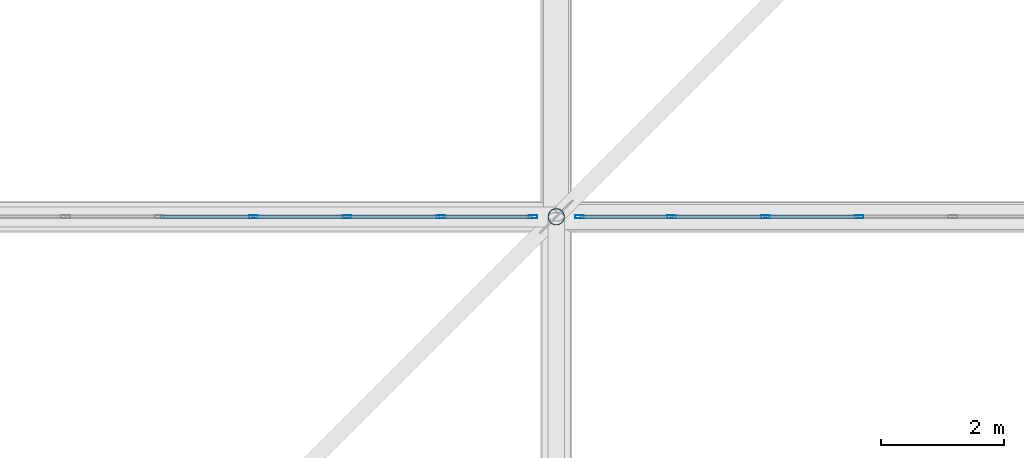
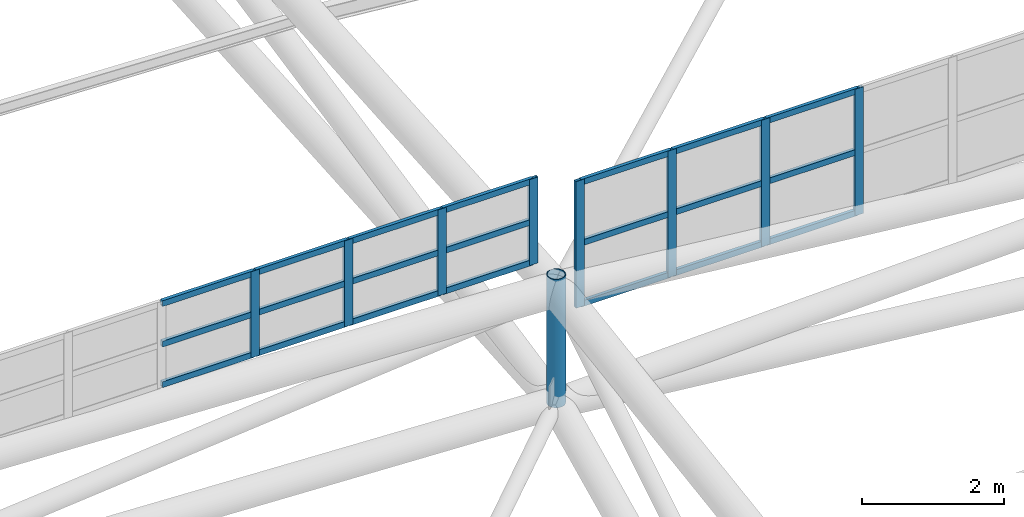
# One storey, part 105 of 397: 30 members, 2 elements without a shape of their own.
"""IFC4 building model written with IfcOpenShell, lengths in metres."""

from ifc_helpers import new_model, si_unit, direction, frame, origin, origin_2d, place, context, subcontext, project, spatial, hollow_rectangle, hollow_circle, extrude, material, material_profile, profile_set, type_object, element, aggregate, save


model = new_model("IFC4")

# Units and contexts
model_context = context("Model", 3, precision=1e-05, world=origin(), true_north=direction((0.0, 1.0)))
body_context = subcontext(model_context, "Body", "Model", "MODEL_VIEW")
ifc_project = project(units=[si_unit("LENGTHUNIT", "METRE"), si_unit("AREAUNIT", "SQUARE_METRE"), si_unit("VOLUMEUNIT", "CUBIC_METRE"), si_unit("PLANEANGLEUNIT", "RADIAN"), si_unit("MASSUNIT", "GRAM", prefix="KILO")], contexts=[model_context])

# Site, building, storey
site_placement = place(None, origin())
site = spatial("IfcSite", under=ifc_project, at=site_placement, CompositionType="ELEMENT")
building_placement = place(site_placement, origin())
building = spatial("IfcBuilding", under=site, at=building_placement, Name="Qandorah Velis Arena", CompositionType="ELEMENT")
storey_placement = place(building_placement, frame((0.0, 0.0, 27.5)))
storey = spatial("IfcBuildingStorey", under=building, at=storey_placement, Name="RF", CompositionType="ELEMENT", Elevation=27.5)

# Curtain wall, members
ifc_material_1 = material(Name="Solar-control low-E double glazing", Category="glass")
curtain_wall_type_1 = type_object("IfcCurtainWallType", Name="ARC-CW-SYS19", PredefinedType="USERDEFINED", material=ifc_material_1)
curtain_wall_1_placement = place(storey_placement, origin())
curtain_wall_1 = element("IfcCurtainWall", 1, at=curtain_wall_1_placement, inside=storey, type_object=curtain_wall_type_1, Name="Unitised curtain wall OCULUS-3-4", ObjectType="UNITISED CURTAIN WALL", PredefinedType="USERDEFINED")
ifc_material_2 = material(Name="Champagne-bronze anodized aluminium 6063-T6", Category="aluminium")
ifc_material_profile_1 = material_profile(ifc_material_2, hollow_rectangle(XDim=0.054931640625, YDim=0.139892578125, WallThickness=0.0029296875, at=origin_2d()), Name="ALU MULLION 55x140")
ifc_profile_set_1 = profile_set([ifc_material_profile_1], Name="Champagne-bronze anodized aluminium 6063-T6")
member_type_1 = type_object("IfcMemberType", Name="ARC-CWM-140", PredefinedType="MULLION", material=ifc_profile_set_1)
member_1_placement = place(storey_placement, frame((81.4833984375, 28.800048828125, 9.5341796875), z_axis=(0.0, 0.0, 1.0), x_axis=(0.0, 1.0, 0.0)))
member_1 = element("IfcMember", 2, at=member_1_placement, type_object=member_type_1, Name="CW19 mullion 7", PredefinedType="MULLION", context=body_context, shape_type="SweptSolid", body=[
    extrude(hollow_rectangle(XDim=0.054931640625, YDim=0.139892578125, WallThickness=0.0029296875, at=origin_2d()), origin(), (0.0, 0.0, 1.0), 1.480712890625),
])
member_2_placement = place(storey_placement, frame((83.005615234375, 28.800048828125, 9.5341796875), z_axis=(0.0, 0.0, 1.0), x_axis=(0.0, 1.0, 0.0)))
member_2 = element("IfcMember", 3, at=member_2_placement, type_object=member_type_1, Name="CW19 mullion 8", PredefinedType="MULLION", context=body_context, shape_type="SweptSolid", body=[
    extrude(hollow_rectangle(XDim=0.054931640625, YDim=0.139892578125, WallThickness=0.0029296875, at=origin_2d()), origin(), (0.0, 0.0, 1.0), 1.480712890625),
])
member_3_placement = place(storey_placement, frame((84.52783203125, 28.800048828125, 9.5341796875), z_axis=(0.0, 0.0, 1.0), x_axis=(0.0, 1.0, 0.0)))
member_3 = element("IfcMember", 4, at=member_3_placement, type_object=member_type_1, Name="CW19 mullion 9", PredefinedType="MULLION", context=body_context, shape_type="SweptSolid", body=[
    extrude(hollow_rectangle(XDim=0.054931640625, YDim=0.139892578125, WallThickness=0.0029296875, at=origin_2d()), origin(), (0.0, 0.0, 1.0), 1.480712890625),
])
member_4_placement = place(storey_placement, frame((86.0224609375, 28.800048828125, 9.5341796875), z_axis=(0.0, 0.0, 1.0), x_axis=(0.0, 1.0, 0.0)))
member_4 = element("IfcMember", 5, at=member_4_placement, type_object=member_type_1, Name="CW19 mullion 10", PredefinedType="MULLION", context=body_context, shape_type="SweptSolid", body=[
    extrude(hollow_rectangle(XDim=0.054931640625, YDim=0.139892578125, WallThickness=0.0029296875, at=origin_2d()), origin(), (0.0, 0.0, 1.0), 1.480712890625),
])

curtain_wall_type_2 = type_object("IfcCurtainWallType", Name="ARC-CW-SYS20", PredefinedType="USERDEFINED", material=ifc_material_1)
curtain_wall_2_placement = place(storey_placement, origin())
curtain_wall_2 = element("IfcCurtainWall", 6, at=curtain_wall_2_placement, inside=storey, type_object=curtain_wall_type_2, Name="Unitised curtain wall OCULUS-3-5", ObjectType="UNITISED CURTAIN WALL", PredefinedType="USERDEFINED")
member_5_placement = place(storey_placement, frame((86.777587890625, 28.800048828125, 8.53515625), z_axis=(0.0, 0.0, 1.0), x_axis=(0.0, 1.0, 0.0)))
member_5 = element("IfcMember", 7, at=member_5_placement, type_object=member_type_1, Name="CW20 mullion 1", PredefinedType="MULLION", context=body_context, shape_type="SweptSolid", body=[
    extrude(hollow_rectangle(XDim=0.054931640625, YDim=0.139892578125, WallThickness=0.0029296875, at=origin_2d()), origin(), (0.0, 0.0, 1.0), 2.179931640625),
])
member_6_placement = place(storey_placement, frame((88.272216796875, 28.800048828125, 8.53515625), z_axis=(0.0, 0.0, 1.0), x_axis=(0.0, 1.0, 0.0)))
member_6 = element("IfcMember", 8, at=member_6_placement, type_object=member_type_1, Name="CW20 mullion 2", PredefinedType="MULLION", context=body_context, shape_type="SweptSolid", body=[
    extrude(hollow_rectangle(XDim=0.054931640625, YDim=0.139892578125, WallThickness=0.0029296875, at=origin_2d()), origin(), (0.0, 0.0, 1.0), 2.179931640625),
])
member_7_placement = place(storey_placement, frame((89.79443359375, 28.800048828125, 8.53515625), z_axis=(0.0, 0.0, 1.0), x_axis=(0.0, 1.0, 0.0)))
member_7 = element("IfcMember", 9, at=member_7_placement, type_object=member_type_1, Name="CW20 mullion 3", PredefinedType="MULLION", context=body_context, shape_type="SweptSolid", body=[
    extrude(hollow_rectangle(XDim=0.054931640625, YDim=0.139892578125, WallThickness=0.0029296875, at=origin_2d()), origin(), (0.0, 0.0, 1.0), 2.179931640625),
])
member_8_placement = place(storey_placement, frame((91.316650390625, 28.800048828125, 8.53515625), z_axis=(0.0, 0.0, 1.0), x_axis=(0.0, 1.0, 0.0)))
member_8 = element("IfcMember", 10, at=member_8_placement, type_object=member_type_1, Name="CW20 mullion 4", PredefinedType="MULLION", context=body_context, shape_type="SweptSolid", body=[
    extrude(hollow_rectangle(XDim=0.054931640625, YDim=0.139892578125, WallThickness=0.0029296875, at=origin_2d()), origin(), (0.0, 0.0, 1.0), 2.179931640625),
])

# Member
ifc_material_profile_2 = material_profile(ifc_material_2, hollow_rectangle(XDim=0.054931640625, YDim=0.10009765625, WallThickness=0.0029296875, at=origin_2d()), Name="ALU TRANSOM 55x100")
ifc_profile_set_2 = profile_set([ifc_material_profile_2], Name="Champagne-bronze anodized aluminium 6063-T6")
member_type_2 = type_object("IfcMemberType", Name="ARC-CWT-100", PredefinedType="USERDEFINED", material=ifc_profile_set_2)
member_9_placement = place(storey_placement, frame((79.9765625, 28.800048828125, 9.57666015625), z_axis=(1.0, 0.0, 0.0), x_axis=(0.0, 1.0, 0.0)))
member_9 = element("IfcMember", 11, at=member_9_placement, type_object=member_type_2, Name="CW19 transom 6.1", ObjectType="TRANSOM", PredefinedType="USERDEFINED", context=body_context, shape_type="SweptSolid", body=[
    extrude(hollow_rectangle(XDim=0.054931640625, YDim=0.10009765625, WallThickness=0.0029296875, at=origin_2d()), origin(), (0.0, 0.0, 1.0), 1.4912109375),
])

member_10_placement = place(storey_placement, frame((79.9765625, 28.800048828125, 10.274658203125), z_axis=(1.0, 0.0, 0.0), x_axis=(0.0, 1.0, 0.0)))
member_10 = element("IfcMember", 12, at=member_10_placement, type_object=member_type_2, Name="CW19 transom 6.2", ObjectType="TRANSOM", PredefinedType="USERDEFINED", context=body_context, shape_type="SweptSolid", body=[
    extrude(hollow_rectangle(XDim=0.054931640625, YDim=0.10009765625, WallThickness=0.0029296875, at=origin_2d()), origin(), (0.0, 0.0, 1.0), 1.4912109375),
])

member_11_placement = place(storey_placement, frame((79.9765625, 28.800048828125, 10.972412109375), z_axis=(1.0, 0.0, 0.0), x_axis=(0.0, 1.0, 0.0)))
member_11 = element("IfcMember", 13, at=member_11_placement, type_object=member_type_2, Name="CW19 transom 6.3", ObjectType="TRANSOM", PredefinedType="USERDEFINED", context=body_context, shape_type="SweptSolid", body=[
    extrude(hollow_rectangle(XDim=0.054931640625, YDim=0.10009765625, WallThickness=0.0029296875, at=origin_2d()), origin(), (0.0, 0.0, 1.0), 1.4912109375),
])

member_12_placement = place(storey_placement, frame((81.498779296875, 28.800048828125, 9.57666015625), z_axis=(1.0, 0.0, 0.0), x_axis=(0.0, 1.0, 0.0)))
member_12 = element("IfcMember", 14, at=member_12_placement, type_object=member_type_2, Name="CW19 transom 7.1", ObjectType="TRANSOM", PredefinedType="USERDEFINED", context=body_context, shape_type="SweptSolid", body=[
    extrude(hollow_rectangle(XDim=0.054931640625, YDim=0.10009765625, WallThickness=0.0029296875, at=origin_2d()), origin(), (0.0, 0.0, 1.0), 1.4912109375),
])

member_13_placement = place(storey_placement, frame((81.498779296875, 28.800048828125, 10.274658203125), z_axis=(1.0, 0.0, 0.0), x_axis=(0.0, 1.0, 0.0)))
member_13 = element("IfcMember", 15, at=member_13_placement, type_object=member_type_2, Name="CW19 transom 7.2", ObjectType="TRANSOM", PredefinedType="USERDEFINED", context=body_context, shape_type="SweptSolid", body=[
    extrude(hollow_rectangle(XDim=0.054931640625, YDim=0.10009765625, WallThickness=0.0029296875, at=origin_2d()), origin(), (0.0, 0.0, 1.0), 1.4912109375),
])

member_14_placement = place(storey_placement, frame((81.498779296875, 28.800048828125, 10.972412109375), z_axis=(1.0, 0.0, 0.0), x_axis=(0.0, 1.0, 0.0)))
member_14 = element("IfcMember", 16, at=member_14_placement, type_object=member_type_2, Name="CW19 transom 7.3", ObjectType="TRANSOM", PredefinedType="USERDEFINED", context=body_context, shape_type="SweptSolid", body=[
    extrude(hollow_rectangle(XDim=0.054931640625, YDim=0.10009765625, WallThickness=0.0029296875, at=origin_2d()), origin(), (0.0, 0.0, 1.0), 1.4912109375),
])

member_15_placement = place(storey_placement, frame((83.02099609375, 28.800048828125, 9.57666015625), z_axis=(1.0, 0.0, 0.0), x_axis=(0.0, 1.0, 0.0)))
member_15 = element("IfcMember", 17, at=member_15_placement, type_object=member_type_2, Name="CW19 transom 8.1", ObjectType="TRANSOM", PredefinedType="USERDEFINED", context=body_context, shape_type="SweptSolid", body=[
    extrude(hollow_rectangle(XDim=0.054931640625, YDim=0.10009765625, WallThickness=0.0029296875, at=origin_2d()), origin(), (0.0, 0.0, 1.0), 1.4912109375),
])

member_16_placement = place(storey_placement, frame((83.02099609375, 28.800048828125, 10.274658203125), z_axis=(1.0, 0.0, 0.0), x_axis=(0.0, 1.0, 0.0)))
member_16 = element("IfcMember", 18, at=member_16_placement, type_object=member_type_2, Name="CW19 transom 8.2", ObjectType="TRANSOM", PredefinedType="USERDEFINED", context=body_context, shape_type="SweptSolid", body=[
    extrude(hollow_rectangle(XDim=0.054931640625, YDim=0.10009765625, WallThickness=0.0029296875, at=origin_2d()), origin(), (0.0, 0.0, 1.0), 1.4912109375),
])

member_17_placement = place(storey_placement, frame((83.02099609375, 28.800048828125, 10.972412109375), z_axis=(1.0, 0.0, 0.0), x_axis=(0.0, 1.0, 0.0)))
member_17 = element("IfcMember", 19, at=member_17_placement, type_object=member_type_2, Name="CW19 transom 8.3", ObjectType="TRANSOM", PredefinedType="USERDEFINED", context=body_context, shape_type="SweptSolid", body=[
    extrude(hollow_rectangle(XDim=0.054931640625, YDim=0.10009765625, WallThickness=0.0029296875, at=origin_2d()), origin(), (0.0, 0.0, 1.0), 1.4912109375),
])

member_18_placement = place(storey_placement, frame((84.543212890625, 28.800048828125, 9.57666015625), z_axis=(1.0, 0.0, 0.0), x_axis=(0.0, 1.0, 0.0)))
member_18 = element("IfcMember", 20, at=member_18_placement, type_object=member_type_2, Name="CW19 transom 9.1", ObjectType="TRANSOM", PredefinedType="USERDEFINED", context=body_context, shape_type="SweptSolid", body=[
    extrude(hollow_rectangle(XDim=0.054931640625, YDim=0.10009765625, WallThickness=0.0029296875, at=origin_2d()), origin(), (0.0, 0.0, 1.0), 1.4638671875),
])

member_19_placement = place(storey_placement, frame((84.543212890625, 28.800048828125, 10.274658203125), z_axis=(1.0, 0.0, 0.0), x_axis=(0.0, 1.0, 0.0)))
member_19 = element("IfcMember", 21, at=member_19_placement, type_object=member_type_2, Name="CW19 transom 9.2", ObjectType="TRANSOM", PredefinedType="USERDEFINED", context=body_context, shape_type="SweptSolid", body=[
    extrude(hollow_rectangle(XDim=0.054931640625, YDim=0.10009765625, WallThickness=0.0029296875, at=origin_2d()), origin(), (0.0, 0.0, 1.0), 1.4638671875),
])

member_20_placement = place(storey_placement, frame((84.543212890625, 28.800048828125, 10.972412109375), z_axis=(1.0, 0.0, 0.0), x_axis=(0.0, 1.0, 0.0)))
member_20 = element("IfcMember", 22, at=member_20_placement, type_object=member_type_2, Name="CW19 transom 9.3", ObjectType="TRANSOM", PredefinedType="USERDEFINED", context=body_context, shape_type="SweptSolid", body=[
    extrude(hollow_rectangle(XDim=0.054931640625, YDim=0.10009765625, WallThickness=0.0029296875, at=origin_2d()), origin(), (0.0, 0.0, 1.0), 1.4638671875),
])

aggregate(curtain_wall_1, [member_1, member_2, member_3, member_4, member_9, member_10, member_11, member_12, member_13, member_14, member_15, member_16, member_17, member_18, member_19, member_20])

member_21_placement = place(storey_placement, frame((86.79296875, 28.800048828125, 8.57763671875), z_axis=(1.0, 0.0, 0.0), x_axis=(0.0, 1.0, 0.0)))
member_21 = element("IfcMember", 23, at=member_21_placement, type_object=member_type_2, Name="CW20 transom 1.1", ObjectType="TRANSOM", PredefinedType="USERDEFINED", context=body_context, shape_type="SweptSolid", body=[
    extrude(hollow_rectangle(XDim=0.054931640625, YDim=0.10009765625, WallThickness=0.0029296875, at=origin_2d()), origin(), (0.0, 0.0, 1.0), 1.463623046875),
])

member_22_placement = place(storey_placement, frame((86.79296875, 28.800048828125, 9.625244140625), z_axis=(1.0, 0.0, 0.0), x_axis=(0.0, 1.0, 0.0)))
member_22 = element("IfcMember", 24, at=member_22_placement, type_object=member_type_2, Name="CW20 transom 1.2", ObjectType="TRANSOM", PredefinedType="USERDEFINED", context=body_context, shape_type="SweptSolid", body=[
    extrude(hollow_rectangle(XDim=0.054931640625, YDim=0.10009765625, WallThickness=0.0029296875, at=origin_2d()), origin(), (0.0, 0.0, 1.0), 1.463623046875),
])

member_23_placement = place(storey_placement, frame((86.79296875, 28.800048828125, 10.672607421875), z_axis=(1.0, 0.0, 0.0), x_axis=(0.0, 1.0, 0.0)))
member_23 = element("IfcMember", 25, at=member_23_placement, type_object=member_type_2, Name="CW20 transom 1.3", ObjectType="TRANSOM", PredefinedType="USERDEFINED", context=body_context, shape_type="SweptSolid", body=[
    extrude(hollow_rectangle(XDim=0.054931640625, YDim=0.10009765625, WallThickness=0.0029296875, at=origin_2d()), origin(), (0.0, 0.0, 1.0), 1.463623046875),
])

member_24_placement = place(storey_placement, frame((88.28759765625, 28.800048828125, 8.57763671875), z_axis=(1.0, 0.0, 0.0), x_axis=(0.0, 1.0, 0.0)))
member_24 = element("IfcMember", 26, at=member_24_placement, type_object=member_type_2, Name="CW20 transom 2.1", ObjectType="TRANSOM", PredefinedType="USERDEFINED", context=body_context, shape_type="SweptSolid", body=[
    extrude(hollow_rectangle(XDim=0.054931640625, YDim=0.10009765625, WallThickness=0.0029296875, at=origin_2d()), origin(), (0.0, 0.0, 1.0), 1.4912109375),
])

member_25_placement = place(storey_placement, frame((88.28759765625, 28.800048828125, 9.625244140625), z_axis=(1.0, 0.0, 0.0), x_axis=(0.0, 1.0, 0.0)))
member_25 = element("IfcMember", 27, at=member_25_placement, type_object=member_type_2, Name="CW20 transom 2.2", ObjectType="TRANSOM", PredefinedType="USERDEFINED", context=body_context, shape_type="SweptSolid", body=[
    extrude(hollow_rectangle(XDim=0.054931640625, YDim=0.10009765625, WallThickness=0.0029296875, at=origin_2d()), origin(), (0.0, 0.0, 1.0), 1.4912109375),
])

member_26_placement = place(storey_placement, frame((88.28759765625, 28.800048828125, 10.672607421875), z_axis=(1.0, 0.0, 0.0), x_axis=(0.0, 1.0, 0.0)))
member_26 = element("IfcMember", 28, at=member_26_placement, type_object=member_type_2, Name="CW20 transom 2.3", ObjectType="TRANSOM", PredefinedType="USERDEFINED", context=body_context, shape_type="SweptSolid", body=[
    extrude(hollow_rectangle(XDim=0.054931640625, YDim=0.10009765625, WallThickness=0.0029296875, at=origin_2d()), origin(), (0.0, 0.0, 1.0), 1.4912109375),
])

member_27_placement = place(storey_placement, frame((89.809814453125, 28.800048828125, 8.57763671875), z_axis=(1.0, 0.0, 0.0), x_axis=(0.0, 1.0, 0.0)))
member_27 = element("IfcMember", 29, at=member_27_placement, type_object=member_type_2, Name="CW20 transom 3.1", ObjectType="TRANSOM", PredefinedType="USERDEFINED", context=body_context, shape_type="SweptSolid", body=[
    extrude(hollow_rectangle(XDim=0.054931640625, YDim=0.10009765625, WallThickness=0.0029296875, at=origin_2d()), origin(), (0.0, 0.0, 1.0), 1.491455078125),
])

member_28_placement = place(storey_placement, frame((89.809814453125, 28.800048828125, 9.625244140625), z_axis=(1.0, 0.0, 0.0), x_axis=(0.0, 1.0, 0.0)))
member_28 = element("IfcMember", 30, at=member_28_placement, type_object=member_type_2, Name="CW20 transom 3.2", ObjectType="TRANSOM", PredefinedType="USERDEFINED", context=body_context, shape_type="SweptSolid", body=[
    extrude(hollow_rectangle(XDim=0.054931640625, YDim=0.10009765625, WallThickness=0.0029296875, at=origin_2d()), origin(), (0.0, 0.0, 1.0), 1.491455078125),
])

member_29_placement = place(storey_placement, frame((89.809814453125, 28.800048828125, 10.672607421875), z_axis=(1.0, 0.0, 0.0), x_axis=(0.0, 1.0, 0.0)))
member_29 = element("IfcMember", 31, at=member_29_placement, type_object=member_type_2, Name="CW20 transom 3.3", ObjectType="TRANSOM", PredefinedType="USERDEFINED", context=body_context, shape_type="SweptSolid", body=[
    extrude(hollow_rectangle(XDim=0.054931640625, YDim=0.10009765625, WallThickness=0.0029296875, at=origin_2d()), origin(), (0.0, 0.0, 1.0), 1.491455078125),
])

aggregate(curtain_wall_2, [member_5, member_6, member_7, member_8, member_21, member_22, member_23, member_24, member_25, member_26, member_27, member_28, member_29])

ifc_material_3 = material(Name="Steel S355", Category="steel")
ifc_material_profile_3 = material_profile(ifc_material_3, hollow_circle(Radius=0.136474609375, WallThickness=0.012451171875, at=origin_2d()), Name="CHS 273x12.5")
ifc_profile_set_3 = profile_set([ifc_material_profile_3], Name="Steel S355")
member_type_3 = type_object("IfcMemberType", Name="STR-SFD-CHS273X12", PredefinedType="STRUT", material=ifc_profile_set_3)
member_30_placement = place(storey_placement, frame((86.39990234375, 28.800048828125, 7.009521484375), z_axis=(0.0, 0.0, 1.0), x_axis=(1.0, 0.0, 0.0)))
element("IfcMember", 32, at=member_30_placement, inside=storey, type_object=member_type_3, Name="Space frame roof vertical post 5.1", PredefinedType="STRUT", context=body_context, shape_type="SweptSolid", body=[
    extrude(hollow_circle(Radius=0.136474609375, WallThickness=0.012451171875, at=origin_2d()), origin(), (0.0, 0.0, 1.0), 2.2099609375),
])

save(model, "model.ifc")
